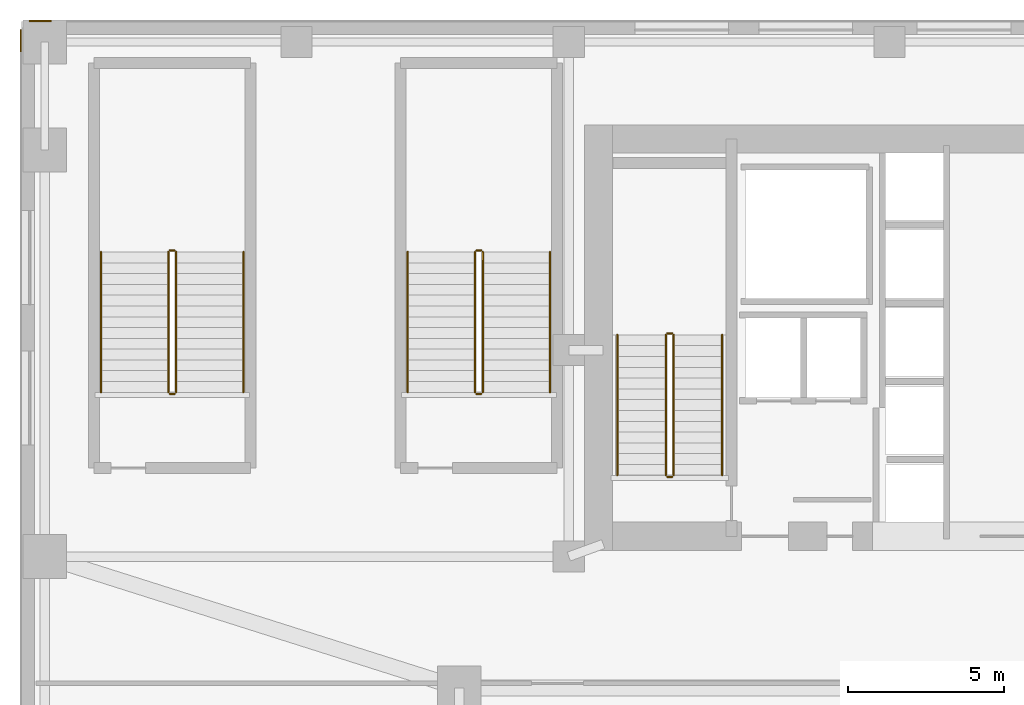
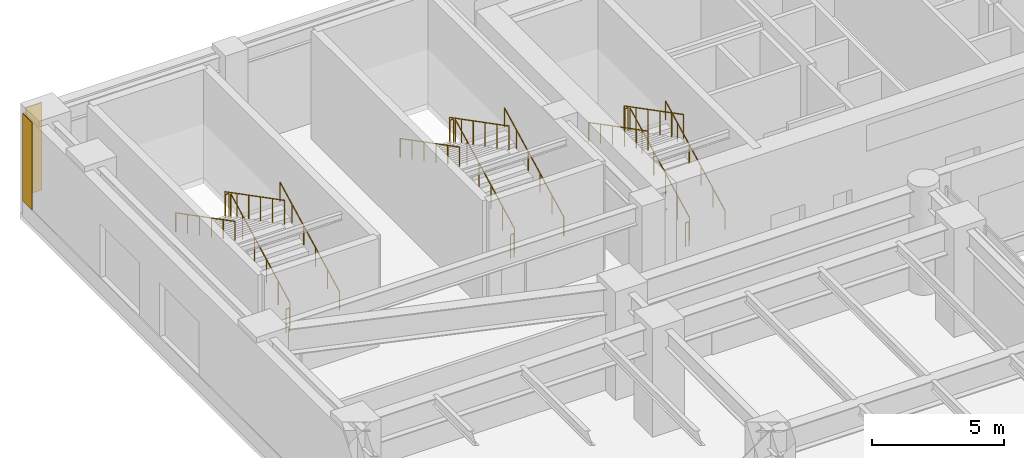
# One storey, part 21 of 24: 18 railings, 2 coverings.
"""IFC4 building model written with IfcOpenShell, lengths in metres."""

from ifc_helpers import new_model, si_unit, direction, frame, origin, origin_2d, place, context, subcontext, project, spatial, polyline, circle, outline, extrude, material, layer, layer_set, type_object, element, save


model = new_model("IFC4")

# Units and contexts
model_context = context("Model", 3, precision=1e-05, world=origin(), true_north=direction((0.0, 1.0)))
body_context = subcontext(model_context, "Body", "Model", "MODEL_VIEW")
ifc_project = project(units=[si_unit("LENGTHUNIT", "METRE"), si_unit("AREAUNIT", "SQUARE_METRE"), si_unit("VOLUMEUNIT", "CUBIC_METRE"), si_unit("PLANEANGLEUNIT", "RADIAN"), si_unit("MASSUNIT", "GRAM", prefix="KILO")], contexts=[model_context])

# Site, building, storey
site_placement = place(None, origin())
site = spatial("IfcSite", under=ifc_project, at=site_placement, CompositionType="ELEMENT")
building_placement = place(site_placement, origin())
building = spatial("IfcBuilding", under=site, at=building_placement, Name="Tolvann Quenvar Hotel", CompositionType="ELEMENT")
storey_placement = place(building_placement, frame((0.0, 0.0, 6.0)))
storey = spatial("IfcBuildingStorey", under=building, at=storey_placement, Name="L01", CompositionType="ELEMENT", Elevation=6.0)

# Coverings
ifc_material_1 = material(Name="Kiln-fired red architectural face brick cladding", Category="masonry")
ifc_layer = layer(ifc_material_1, 0.0400390625)
ifc_layer_set = layer_set([ifc_layer], Name="Kiln-fired red architectural face brick cladding")
covering_type = type_object("IfcCoveringType", Name="COV_CLAD_BRICK_40", PredefinedType="CLADDING", material=ifc_layer_set)
covering_1_placement = place(storey_placement, frame((0.0, 0.0, 0.699951171875)))
element("IfcCovering", 1, at=covering_1_placement, inside=storey, type_object=covering_type, Name="Brick Pier Cladding (L01-E06-P2)", PredefinedType="CLADDING", context=body_context, shape_type="SweptSolid", body=[
    extrude(outline(polyline([(-7.43994140625, 48.5), (-8.139892578125, 48.5), (-8.139892578125, 48.5400390625), (-7.43994140625, 48.5400390625), (-7.43994140625, 48.5)])), origin(), (0.0, 0.0, 1.0), 4.0400390625),
])
covering_2_placement = place(storey_placement, frame((0.0, 0.0, 0.699951171875)))
element("IfcCovering", 2, at=covering_2_placement, inside=storey, type_object=covering_type, Name="Brick Pier Cladding (L01-E07-P1)", PredefinedType="CLADDING", context=body_context, shape_type="SweptSolid", body=[
    extrude(outline(polyline([(-8.39990234375, 48.239990234375), (-8.39990234375, 47.5400390625), (-8.43994140625, 47.5400390625), (-8.43994140625, 48.239990234375), (-8.39990234375, 48.239990234375)])), origin(), (0.0, 0.0, 1.0), 4.0400390625),
])

# Railings
ifc_material_2 = material(Name="Brushed 316 stainless steel balustrade and handrail", Category="steel")
railing_type_1 = type_object("IfcRailingType", Name="GUARDRAIL", PredefinedType="GUARDRAIL", material=ifc_material_2)
railing_1_placement = place(storey_placement, frame((12.449951171875, 34.0, 0.178466796875)))
element("IfcRailing", 3, at=railing_1_placement, inside=storey, type_object=railing_type_1, Name="L01 ST-C1 stair guard 1", PredefinedType="GUARDRAIL", context=body_context, shape_type="SweptSolid", body=[
    extrude(circle(Radius=0.02392578125, at=origin_2d()), frame((0.0, 0.0, 1.09619140625), z_axis=(0.0, 0.888084280779, 0.459680661147), x_axis=(-1.0, 0.0, 0.0)), (0.0, 0.0, 1.0), 5.05029296875),
    extrude(circle(Radius=0.02099609375, at=origin_2d()), origin(), (0.0, 0.0, 1.0), 1.072021484375),
    extrude(circle(Radius=0.02099609375, at=origin_2d()), frame((0.0, 0.89697265625, 0.46435546875)), (0.0, 0.0, 1.0), 1.072021484375),
    extrude(circle(Radius=0.02099609375, at=origin_2d()), frame((0.0, 1.7939453125, 0.9287109375)), (0.0, 0.0, 1.0), 1.072021484375),
    extrude(circle(Radius=0.02099609375, at=origin_2d()), frame((0.0, 2.691162109375, 1.392822265625)), (0.0, 0.0, 1.0), 1.072021484375),
    extrude(circle(Radius=0.02099609375, at=origin_2d()), frame((0.0, 3.588134765625, 1.857177734375)), (0.0, 0.0, 1.0), 1.072021484375),
    extrude(circle(Radius=0.02099609375, at=origin_2d()), frame((0.0, 4.485107421875, 2.321533203125)), (0.0, 0.0, 1.0), 1.072021484375),
])
railing_2_placement = place(storey_placement, frame((12.39990234375, 38.534912109375, 2.5)))
element("IfcRailing", 4, at=railing_2_placement, inside=storey, type_object=railing_type_1, Name="L01 ST-C1 stair guard 2", PredefinedType="GUARDRAIL", context=body_context, shape_type="SweptSolid", body=[
    extrude(circle(Radius=0.02392578125, at=origin_2d()), frame((0.0, 0.0, 1.09619140625), z_axis=(-1.0, 0.0, 0.0), x_axis=(0.0, -1.0, 0.0)), (0.0, 0.0, 1.0), 0.14990234375),
    extrude(circle(Radius=0.02099609375, at=origin_2d()), origin(), (0.0, 0.0, 1.0), 1.072021484375),
    extrude(circle(Radius=0.02099609375, at=origin_2d()), frame((-0.14990234375, 0.0, 0.0)), (0.0, 0.0, 1.0), 1.072021484375),
])
railing_3_placement = place(storey_placement, frame((12.199951171875, 38.485107421875, 2.678466796875)))
element("IfcRailing", 5, at=railing_3_placement, inside=storey, type_object=railing_type_1, Name="L01 ST-C1 stair guard 3", PredefinedType="GUARDRAIL", context=body_context, shape_type="SweptSolid", body=[
    extrude(circle(Radius=0.02392578125, at=origin_2d()), frame((0.0, 0.0, 1.09619140625), z_axis=(0.0, -0.888084280779, 0.459680661147), x_axis=(1.0, 0.0, 0.0)), (0.0, 0.0, 1.0), 5.05029296875),
    extrude(circle(Radius=0.02099609375, at=origin_2d()), origin(), (0.0, 0.0, 1.0), 1.072021484375),
    extrude(circle(Radius=0.02099609375, at=origin_2d()), frame((0.0, -0.89697265625, 0.46435546875)), (0.0, 0.0, 1.0), 1.072021484375),
    extrude(circle(Radius=0.02099609375, at=origin_2d()), frame((0.0, -1.7939453125, 0.9287109375)), (0.0, 0.0, 1.0), 1.072021484375),
    extrude(circle(Radius=0.02099609375, at=origin_2d()), frame((0.0, -2.691162109375, 1.392822265625)), (0.0, 0.0, 1.0), 1.072021484375),
    extrude(circle(Radius=0.02099609375, at=origin_2d()), frame((0.0, -3.588134765625, 1.857177734375)), (0.0, 0.0, 1.0), 1.072021484375),
    extrude(circle(Radius=0.02099609375, at=origin_2d()), frame((0.0, -4.485107421875, 2.321533203125)), (0.0, 0.0, 1.0), 1.072021484375),
])
railing_4_placement = place(storey_placement, frame((12.39990234375, 33.949951171875, 0.0)))
element("IfcRailing", 6, at=railing_4_placement, inside=storey, type_object=railing_type_1, Name="L01 ST-C1 stair guard 4", PredefinedType="GUARDRAIL", context=body_context, shape_type="SweptSolid", body=[
    extrude(circle(Radius=0.02392578125, at=origin_2d()), frame((0.0, 0.0, 1.09619140625), z_axis=(-1.0, 0.0, 0.0), x_axis=(0.0, -1.0, 0.0)), (0.0, 0.0, 1.0), 0.14990234375),
    extrude(circle(Radius=0.02099609375, at=origin_2d()), origin(), (0.0, 0.0, 1.0), 1.072021484375),
    extrude(circle(Radius=0.02099609375, at=origin_2d()), frame((-0.14990234375, 0.0, 0.0)), (0.0, 0.0, 1.0), 1.072021484375),
])
railing_5_placement = place(storey_placement, frame((-3.449951171875, 36.64990234375, 0.178466796875)))
element("IfcRailing", 7, at=railing_5_placement, inside=storey, type_object=railing_type_1, Name="L01 ST-P1 stair guard 1", PredefinedType="GUARDRAIL", context=body_context, shape_type="SweptSolid", body=[
    extrude(circle(Radius=0.02392578125, at=origin_2d()), frame((0.0, 0.0, 1.09619140625), z_axis=(0.0, 0.888084280779, 0.459680661147), x_axis=(-1.0, 0.0, 0.0)), (0.0, 0.0, 1.0), 5.05029296875),
    extrude(circle(Radius=0.02099609375, at=origin_2d()), origin(), (0.0, 0.0, 1.0), 1.072021484375),
    extrude(circle(Radius=0.02099609375, at=origin_2d()), frame((0.0, 0.89697265625, 0.46435546875)), (0.0, 0.0, 1.0), 1.072021484375),
    extrude(circle(Radius=0.02099609375, at=origin_2d()), frame((0.0, 1.7939453125, 0.9287109375)), (0.0, 0.0, 1.0), 1.072021484375),
    extrude(circle(Radius=0.02099609375, at=origin_2d()), frame((0.0, 2.691162109375, 1.392822265625)), (0.0, 0.0, 1.0), 1.072021484375),
    extrude(circle(Radius=0.02099609375, at=origin_2d()), frame((0.0, 3.588134765625, 1.857177734375)), (0.0, 0.0, 1.0), 1.072021484375),
    extrude(circle(Radius=0.02099609375, at=origin_2d()), frame((0.0, 4.485107421875, 2.321533203125)), (0.0, 0.0, 1.0), 1.072021484375),
])
railing_6_placement = place(storey_placement, frame((-3.5, 41.18505859375, 2.5)))
element("IfcRailing", 8, at=railing_6_placement, inside=storey, type_object=railing_type_1, Name="L01 ST-P1 stair guard 2", PredefinedType="GUARDRAIL", context=body_context, shape_type="SweptSolid", body=[
    extrude(circle(Radius=0.02392578125, at=origin_2d()), frame((0.0, 0.0, 1.09619140625), z_axis=(-1.0, 0.0, 0.0), x_axis=(0.0, -1.0, 0.0)), (0.0, 0.0, 1.0), 0.14990234375),
    extrude(circle(Radius=0.02099609375, at=origin_2d()), origin(), (0.0, 0.0, 1.0), 1.072021484375),
    extrude(circle(Radius=0.02099609375, at=origin_2d()), frame((-0.14990234375, 0.0, 0.0)), (0.0, 0.0, 1.0), 1.072021484375),
])
railing_7_placement = place(storey_placement, frame((-3.699951171875, 41.135009765625, 2.678466796875)))
element("IfcRailing", 9, at=railing_7_placement, inside=storey, type_object=railing_type_1, Name="L01 ST-P1 stair guard 3", PredefinedType="GUARDRAIL", context=body_context, shape_type="SweptSolid", body=[
    extrude(circle(Radius=0.02392578125, at=origin_2d()), frame((0.0, 0.0, 1.09619140625), z_axis=(0.0, -0.888084280779, 0.459680661147), x_axis=(1.0, 0.0, 0.0)), (0.0, 0.0, 1.0), 5.05029296875),
    extrude(circle(Radius=0.02099609375, at=origin_2d()), origin(), (0.0, 0.0, 1.0), 1.072021484375),
    extrude(circle(Radius=0.02099609375, at=origin_2d()), frame((0.0, -0.89697265625, 0.46435546875)), (0.0, 0.0, 1.0), 1.072021484375),
    extrude(circle(Radius=0.02099609375, at=origin_2d()), frame((0.0, -1.7939453125, 0.9287109375)), (0.0, 0.0, 1.0), 1.072021484375),
    extrude(circle(Radius=0.02099609375, at=origin_2d()), frame((0.0, -2.691162109375, 1.392822265625)), (0.0, 0.0, 1.0), 1.072021484375),
    extrude(circle(Radius=0.02099609375, at=origin_2d()), frame((0.0, -3.588134765625, 1.857177734375)), (0.0, 0.0, 1.0), 1.072021484375),
    extrude(circle(Radius=0.02099609375, at=origin_2d()), frame((0.0, -4.485107421875, 2.321533203125)), (0.0, 0.0, 1.0), 1.072021484375),
])
railing_8_placement = place(storey_placement, frame((-3.5, 36.60009765625, 0.0)))
element("IfcRailing", 10, at=railing_8_placement, inside=storey, type_object=railing_type_1, Name="L01 ST-P1 stair guard 4", PredefinedType="GUARDRAIL", context=body_context, shape_type="SweptSolid", body=[
    extrude(circle(Radius=0.02392578125, at=origin_2d()), frame((0.0, 0.0, 1.09619140625), z_axis=(-1.0, 0.0, 0.0), x_axis=(0.0, -1.0, 0.0)), (0.0, 0.0, 1.0), 0.14990234375),
    extrude(circle(Radius=0.02099609375, at=origin_2d()), origin(), (0.0, 0.0, 1.0), 1.072021484375),
    extrude(circle(Radius=0.02099609375, at=origin_2d()), frame((-0.14990234375, 0.0, 0.0)), (0.0, 0.0, 1.0), 1.072021484375),
])
railing_9_placement = place(storey_placement, frame((6.35009765625, 36.64990234375, 0.178466796875)))
element("IfcRailing", 11, at=railing_9_placement, inside=storey, type_object=railing_type_1, Name="L01 ST-P2 stair guard 1", PredefinedType="GUARDRAIL", context=body_context, shape_type="SweptSolid", body=[
    extrude(circle(Radius=0.02392578125, at=origin_2d()), frame((0.0, 0.0, 1.09619140625), z_axis=(0.0, 0.888084280779, 0.459680661147), x_axis=(-1.0, 0.0, 0.0)), (0.0, 0.0, 1.0), 5.05029296875),
    extrude(circle(Radius=0.02099609375, at=origin_2d()), origin(), (0.0, 0.0, 1.0), 1.072021484375),
    extrude(circle(Radius=0.02099609375, at=origin_2d()), frame((0.0, 0.89697265625, 0.46435546875)), (0.0, 0.0, 1.0), 1.072021484375),
    extrude(circle(Radius=0.02099609375, at=origin_2d()), frame((0.0, 1.7939453125, 0.9287109375)), (0.0, 0.0, 1.0), 1.072021484375),
    extrude(circle(Radius=0.02099609375, at=origin_2d()), frame((0.0, 2.691162109375, 1.392822265625)), (0.0, 0.0, 1.0), 1.072021484375),
    extrude(circle(Radius=0.02099609375, at=origin_2d()), frame((0.0, 3.588134765625, 1.857177734375)), (0.0, 0.0, 1.0), 1.072021484375),
    extrude(circle(Radius=0.02099609375, at=origin_2d()), frame((0.0, 4.485107421875, 2.321533203125)), (0.0, 0.0, 1.0), 1.072021484375),
])
railing_10_placement = place(storey_placement, frame((6.300048828125, 41.18505859375, 2.5)))
element("IfcRailing", 12, at=railing_10_placement, inside=storey, type_object=railing_type_1, Name="L01 ST-P2 stair guard 2", PredefinedType="GUARDRAIL", context=body_context, shape_type="SweptSolid", body=[
    extrude(circle(Radius=0.02392578125, at=origin_2d()), frame((0.0, 0.0, 1.09619140625), z_axis=(-1.0, 0.0, 0.0), x_axis=(0.0, -1.0, 0.0)), (0.0, 0.0, 1.0), 0.150146484375),
    extrude(circle(Radius=0.02099609375, at=origin_2d()), origin(), (0.0, 0.0, 1.0), 1.072021484375),
    extrude(circle(Radius=0.02099609375, at=origin_2d()), frame((-0.150146484375, 0.0, 0.0)), (0.0, 0.0, 1.0), 1.072021484375),
])
railing_11_placement = place(storey_placement, frame((6.10009765625, 41.135009765625, 2.678466796875)))
element("IfcRailing", 13, at=railing_11_placement, inside=storey, type_object=railing_type_1, Name="L01 ST-P2 stair guard 3", PredefinedType="GUARDRAIL", context=body_context, shape_type="SweptSolid", body=[
    extrude(circle(Radius=0.02392578125, at=origin_2d()), frame((0.0, 0.0, 1.09619140625), z_axis=(0.0, -0.888084280779, 0.459680661147), x_axis=(1.0, 0.0, 0.0)), (0.0, 0.0, 1.0), 5.05029296875),
    extrude(circle(Radius=0.02099609375, at=origin_2d()), origin(), (0.0, 0.0, 1.0), 1.072021484375),
    extrude(circle(Radius=0.02099609375, at=origin_2d()), frame((0.0, -0.89697265625, 0.46435546875)), (0.0, 0.0, 1.0), 1.072021484375),
    extrude(circle(Radius=0.02099609375, at=origin_2d()), frame((0.0, -1.7939453125, 0.9287109375)), (0.0, 0.0, 1.0), 1.072021484375),
    extrude(circle(Radius=0.02099609375, at=origin_2d()), frame((0.0, -2.691162109375, 1.392822265625)), (0.0, 0.0, 1.0), 1.072021484375),
    extrude(circle(Radius=0.02099609375, at=origin_2d()), frame((0.0, -3.588134765625, 1.857177734375)), (0.0, 0.0, 1.0), 1.072021484375),
    extrude(circle(Radius=0.02099609375, at=origin_2d()), frame((0.0, -4.485107421875, 2.321533203125)), (0.0, 0.0, 1.0), 1.072021484375),
])
railing_12_placement = place(storey_placement, frame((6.300048828125, 36.60009765625, 0.0)))
element("IfcRailing", 14, at=railing_12_placement, inside=storey, type_object=railing_type_1, Name="L01 ST-P2 stair guard 4", PredefinedType="GUARDRAIL", context=body_context, shape_type="SweptSolid", body=[
    extrude(circle(Radius=0.02392578125, at=origin_2d()), frame((0.0, 0.0, 1.09619140625), z_axis=(-1.0, 0.0, 0.0), x_axis=(0.0, -1.0, 0.0)), (0.0, 0.0, 1.0), 0.150146484375),
    extrude(circle(Radius=0.02099609375, at=origin_2d()), origin(), (0.0, 0.0, 1.0), 1.072021484375),
    extrude(circle(Radius=0.02099609375, at=origin_2d()), frame((-0.150146484375, 0.0, 0.0)), (0.0, 0.0, 1.0), 1.072021484375),
])
railing_type_2 = type_object("IfcRailingType", Name="HANDRAIL", PredefinedType="HANDRAIL", material=ifc_material_2)
railing_13_placement = place(storey_placement, frame((14.0, 34.0, 0.178466796875)))
element("IfcRailing", 15, at=railing_13_placement, inside=storey, type_object=railing_type_2, Name="L01 ST-C1 stair handrail 1", PredefinedType="HANDRAIL", context=body_context, shape_type="SweptSolid", body=[
    extrude(circle(Radius=0.02392578125, at=origin_2d()), frame((0.0, 0.0, 0.8759765625), z_axis=(0.0, 0.888084280779, 0.459680661147), x_axis=(-1.0, 0.0, 0.0)), (0.0, 0.0, 1.0), 5.05029296875),
    extrude(circle(Radius=0.02099609375, at=origin_2d()), origin(), (0.0, 0.0, 1.0), 0.851806640625),
    extrude(circle(Radius=0.02099609375, at=origin_2d()), frame((0.0, 0.89697265625, 0.46435546875)), (0.0, 0.0, 1.0), 0.851806640625),
    extrude(circle(Radius=0.02099609375, at=origin_2d()), frame((0.0, 1.7939453125, 0.9287109375)), (0.0, 0.0, 1.0), 0.851806640625),
    extrude(circle(Radius=0.02099609375, at=origin_2d()), frame((0.0, 2.691162109375, 1.392822265625)), (0.0, 0.0, 1.0), 0.851806640625),
    extrude(circle(Radius=0.02099609375, at=origin_2d()), frame((0.0, 3.588134765625, 1.857177734375)), (0.0, 0.0, 1.0), 0.851806640625),
    extrude(circle(Radius=0.02099609375, at=origin_2d()), frame((0.0, 4.485107421875, 2.321533203125)), (0.0, 0.0, 1.0), 0.851806640625),
])
railing_14_placement = place(storey_placement, frame((10.64990234375, 38.485107421875, 2.678466796875)))
element("IfcRailing", 16, at=railing_14_placement, inside=storey, type_object=railing_type_2, Name="L01 ST-C1 stair handrail 2", PredefinedType="HANDRAIL", context=body_context, shape_type="SweptSolid", body=[
    extrude(circle(Radius=0.02392578125, at=origin_2d()), frame((0.0, 0.0, 0.8759765625), z_axis=(0.0, -0.888084280779, 0.459680661147), x_axis=(1.0, 0.0, 0.0)), (0.0, 0.0, 1.0), 5.05029296875),
    extrude(circle(Radius=0.02099609375, at=origin_2d()), origin(), (0.0, 0.0, 1.0), 0.851806640625),
    extrude(circle(Radius=0.02099609375, at=origin_2d()), frame((0.0, -0.89697265625, 0.46435546875)), (0.0, 0.0, 1.0), 0.851806640625),
    extrude(circle(Radius=0.02099609375, at=origin_2d()), frame((0.0, -1.7939453125, 0.9287109375)), (0.0, 0.0, 1.0), 0.851806640625),
    extrude(circle(Radius=0.02099609375, at=origin_2d()), frame((0.0, -2.691162109375, 1.392822265625)), (0.0, 0.0, 1.0), 0.851806640625),
    extrude(circle(Radius=0.02099609375, at=origin_2d()), frame((0.0, -3.588134765625, 1.857177734375)), (0.0, 0.0, 1.0), 0.851806640625),
    extrude(circle(Radius=0.02099609375, at=origin_2d()), frame((0.0, -4.485107421875, 2.321533203125)), (0.0, 0.0, 1.0), 0.851806640625),
])
railing_15_placement = place(storey_placement, frame((-1.300048828125, 36.64990234375, 0.178466796875)))
element("IfcRailing", 17, at=railing_15_placement, inside=storey, type_object=railing_type_2, Name="L01 ST-P1 stair handrail 1", PredefinedType="HANDRAIL", context=body_context, shape_type="SweptSolid", body=[
    extrude(circle(Radius=0.02392578125, at=origin_2d()), frame((0.0, 0.0, 0.8759765625), z_axis=(0.0, 0.888084280779, 0.459680661147), x_axis=(-1.0, 0.0, 0.0)), (0.0, 0.0, 1.0), 5.05029296875),
    extrude(circle(Radius=0.02099609375, at=origin_2d()), origin(), (0.0, 0.0, 1.0), 0.851806640625),
    extrude(circle(Radius=0.02099609375, at=origin_2d()), frame((0.0, 0.89697265625, 0.46435546875)), (0.0, 0.0, 1.0), 0.851806640625),
    extrude(circle(Radius=0.02099609375, at=origin_2d()), frame((0.0, 1.7939453125, 0.9287109375)), (0.0, 0.0, 1.0), 0.851806640625),
    extrude(circle(Radius=0.02099609375, at=origin_2d()), frame((0.0, 2.691162109375, 1.392822265625)), (0.0, 0.0, 1.0), 0.851806640625),
    extrude(circle(Radius=0.02099609375, at=origin_2d()), frame((0.0, 3.588134765625, 1.857177734375)), (0.0, 0.0, 1.0), 0.851806640625),
    extrude(circle(Radius=0.02099609375, at=origin_2d()), frame((0.0, 4.485107421875, 2.321533203125)), (0.0, 0.0, 1.0), 0.851806640625),
])
railing_16_placement = place(storey_placement, frame((-5.85009765625, 41.135009765625, 2.678466796875)))
element("IfcRailing", 18, at=railing_16_placement, inside=storey, type_object=railing_type_2, Name="L01 ST-P1 stair handrail 2", PredefinedType="HANDRAIL", context=body_context, shape_type="SweptSolid", body=[
    extrude(circle(Radius=0.02392578125, at=origin_2d()), frame((0.0, 0.0, 0.8759765625), z_axis=(0.0, -0.888084280779, 0.459680661147), x_axis=(1.0, 0.0, 0.0)), (0.0, 0.0, 1.0), 5.05029296875),
    extrude(circle(Radius=0.02099609375, at=origin_2d()), origin(), (0.0, 0.0, 1.0), 0.851806640625),
    extrude(circle(Radius=0.02099609375, at=origin_2d()), frame((0.0, -0.89697265625, 0.46435546875)), (0.0, 0.0, 1.0), 0.851806640625),
    extrude(circle(Radius=0.02099609375, at=origin_2d()), frame((0.0, -1.7939453125, 0.9287109375)), (0.0, 0.0, 1.0), 0.851806640625),
    extrude(circle(Radius=0.02099609375, at=origin_2d()), frame((0.0, -2.691162109375, 1.392822265625)), (0.0, 0.0, 1.0), 0.851806640625),
    extrude(circle(Radius=0.02099609375, at=origin_2d()), frame((0.0, -3.588134765625, 1.857177734375)), (0.0, 0.0, 1.0), 0.851806640625),
    extrude(circle(Radius=0.02099609375, at=origin_2d()), frame((0.0, -4.485107421875, 2.321533203125)), (0.0, 0.0, 1.0), 0.851806640625),
])
railing_17_placement = place(storey_placement, frame((8.5, 36.64990234375, 0.178466796875)))
element("IfcRailing", 19, at=railing_17_placement, inside=storey, type_object=railing_type_2, Name="L01 ST-P2 stair handrail 1", PredefinedType="HANDRAIL", context=body_context, shape_type="SweptSolid", body=[
    extrude(circle(Radius=0.02392578125, at=origin_2d()), frame((0.0, 0.0, 0.8759765625), z_axis=(0.0, 0.888084280779, 0.459680661147), x_axis=(-1.0, 0.0, 0.0)), (0.0, 0.0, 1.0), 5.05029296875),
    extrude(circle(Radius=0.02099609375, at=origin_2d()), origin(), (0.0, 0.0, 1.0), 0.851806640625),
    extrude(circle(Radius=0.02099609375, at=origin_2d()), frame((0.0, 0.89697265625, 0.46435546875)), (0.0, 0.0, 1.0), 0.851806640625),
    extrude(circle(Radius=0.02099609375, at=origin_2d()), frame((0.0, 1.7939453125, 0.9287109375)), (0.0, 0.0, 1.0), 0.851806640625),
    extrude(circle(Radius=0.02099609375, at=origin_2d()), frame((0.0, 2.691162109375, 1.392822265625)), (0.0, 0.0, 1.0), 0.851806640625),
    extrude(circle(Radius=0.02099609375, at=origin_2d()), frame((0.0, 3.588134765625, 1.857177734375)), (0.0, 0.0, 1.0), 0.851806640625),
    extrude(circle(Radius=0.02099609375, at=origin_2d()), frame((0.0, 4.485107421875, 2.321533203125)), (0.0, 0.0, 1.0), 0.851806640625),
])
railing_18_placement = place(storey_placement, frame((3.949951171875, 41.135009765625, 2.678466796875)))
element("IfcRailing", 20, at=railing_18_placement, inside=storey, type_object=railing_type_2, Name="L01 ST-P2 stair handrail 2", PredefinedType="HANDRAIL", context=body_context, shape_type="SweptSolid", body=[
    extrude(circle(Radius=0.02392578125, at=origin_2d()), frame((0.0, 0.0, 0.8759765625), z_axis=(0.0, -0.888084280779, 0.459680661147), x_axis=(1.0, 0.0, 0.0)), (0.0, 0.0, 1.0), 5.05029296875),
    extrude(circle(Radius=0.02099609375, at=origin_2d()), origin(), (0.0, 0.0, 1.0), 0.851806640625),
    extrude(circle(Radius=0.02099609375, at=origin_2d()), frame((0.0, -0.89697265625, 0.46435546875)), (0.0, 0.0, 1.0), 0.851806640625),
    extrude(circle(Radius=0.02099609375, at=origin_2d()), frame((0.0, -1.7939453125, 0.9287109375)), (0.0, 0.0, 1.0), 0.851806640625),
    extrude(circle(Radius=0.02099609375, at=origin_2d()), frame((0.0, -2.691162109375, 1.392822265625)), (0.0, 0.0, 1.0), 0.851806640625),
    extrude(circle(Radius=0.02099609375, at=origin_2d()), frame((0.0, -3.588134765625, 1.857177734375)), (0.0, 0.0, 1.0), 0.851806640625),
    extrude(circle(Radius=0.02099609375, at=origin_2d()), frame((0.0, -4.485107421875, 2.321533203125)), (0.0, 0.0, 1.0), 0.851806640625),
])

save(model, "model.ifc")
